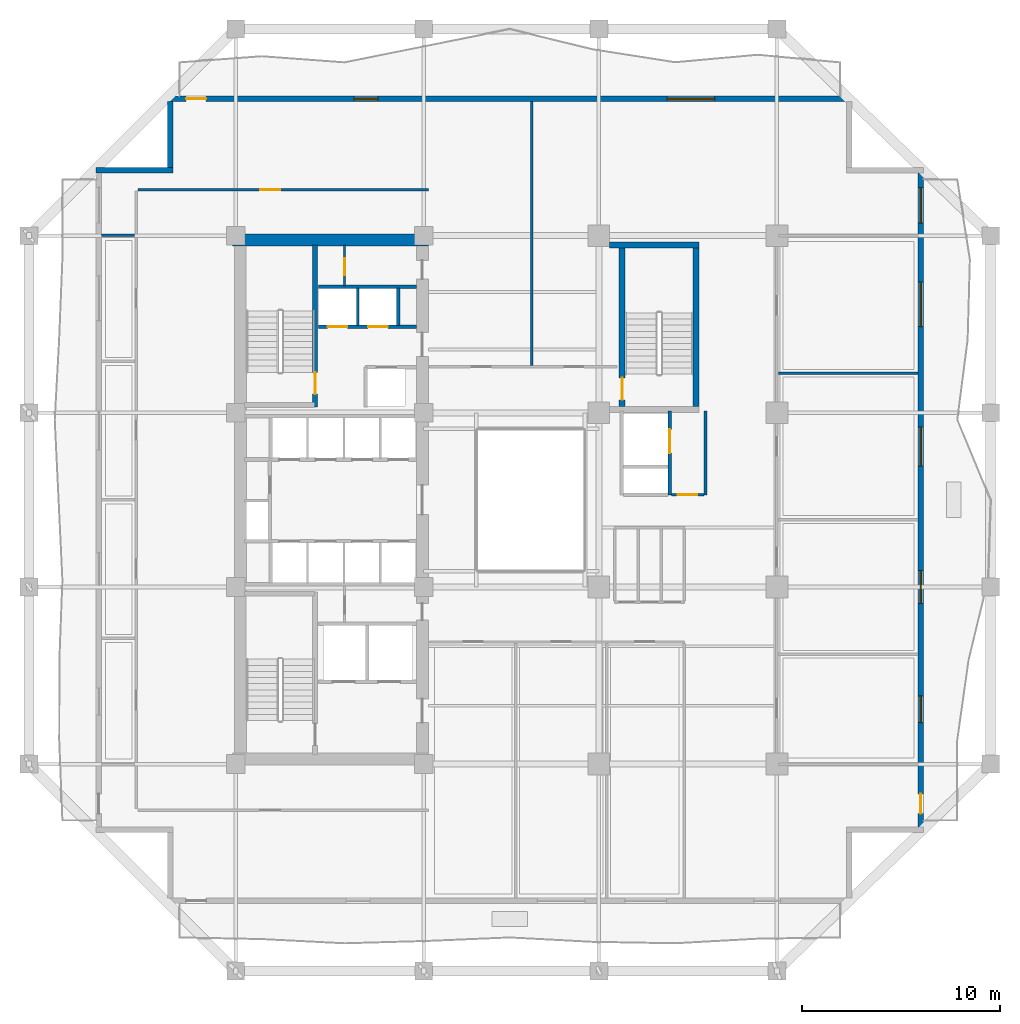
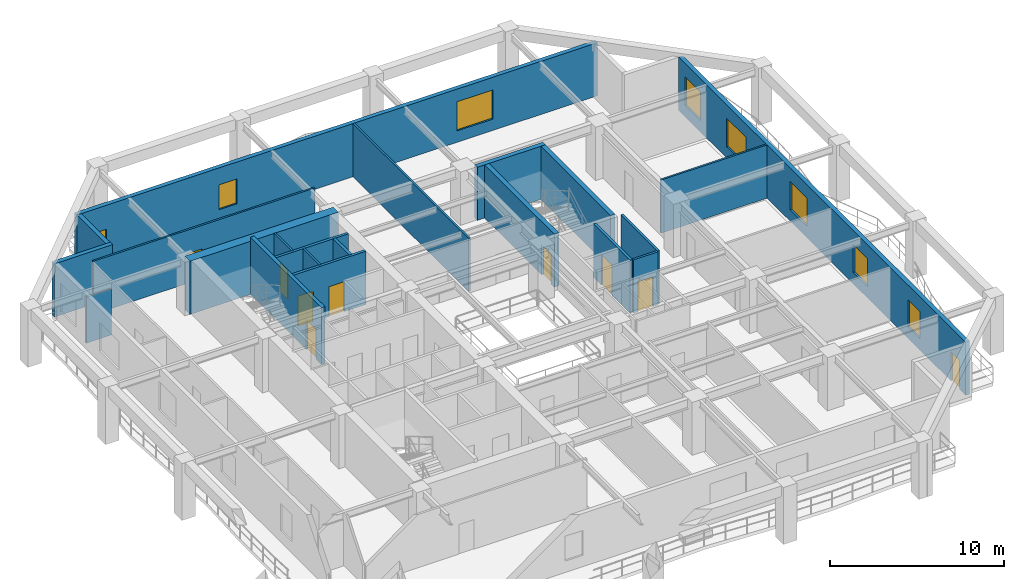
# One storey, part 5 of 11: 21 walls, 10 doors, 7 windows, 17 openings.
"""IFC4 building model written with IfcOpenShell, lengths in metres."""

from ifc_helpers import new_model, si_unit, direction, frame, frame_2d, origin, place, context, subcontext, project, spatial, rectangle, extrude, material, layer, layer_set, type_object, element, fill, save


model = new_model("IFC4")

# Units and contexts
model_context = context("Model", 3, precision=1e-05, world=origin(), true_north=direction((0.0, 1.0)))
body_context = subcontext(model_context, "Body", "Model", "MODEL_VIEW")
ifc_project = project(units=[si_unit("LENGTHUNIT", "METRE"), si_unit("AREAUNIT", "SQUARE_METRE"), si_unit("VOLUMEUNIT", "CUBIC_METRE"), si_unit("PLANEANGLEUNIT", "RADIAN"), si_unit("MASSUNIT", "GRAM", prefix="KILO")], contexts=[model_context])

# Site, building, storey
site_placement = place(None, origin())
site = spatial("IfcSite", under=ifc_project, at=site_placement, CompositionType="ELEMENT")
building_placement = place(site_placement, origin())
building = spatial("IfcBuilding", under=site, at=building_placement, Name="Kundavana Baori Tower", CompositionType="ELEMENT")
storey_placement = place(building_placement, frame((0.0, 0.0, 86.0)))
storey = spatial("IfcBuildingStorey", under=building, at=storey_placement, Name="L20", CompositionType="ELEMENT", Elevation=86.0)

# Wall, opening, door
ifc_material_1 = material(Name="Concrete C50/60", Category="concrete")
ifc_layer_1 = layer(ifc_material_1, 0.39990234375, Name="WL-CORE-400")
ifc_layer_set_1 = layer_set([ifc_layer_1], Name="Concrete C50/60")
wall_type_1 = type_object("IfcWallType", Name="WL-CORE-400", PredefinedType="SHEAR", material=ifc_layer_set_1)
wall_1_placement = place(storey_placement, frame((19.4599609375, 33.300048828125, 0.0), z_axis=(0.0, 0.0, 1.0), x_axis=(0.0, 1.0, 0.0)))
wall_1 = element("IfcWall", 1, at=wall_1_placement, inside=storey, type_object=wall_type_1, Name="WL-L20-ST2-E", PredefinedType="SHEAR", context=body_context, shape_type="SweptSolid", body=[
    extrude(rectangle(XDim=8.179931640625, YDim=0.239990234375, at=frame_2d((4.08984375, 0.0))), origin(), (0.0, 0.0, 1.0), 4.0),
])
opening_1_placement = place(wall_1_placement, frame((0.64990234375, 0.0, 0.0)))
opening_1 = element("IfcOpeningElement", 2, at=opening_1_placement, cuts=wall_1, Name="Opening FD-110", PredefinedType="OPENING", context=body_context, shape_type="SweptSolid", body=[
    extrude(rectangle(XDim=1.10009765625, YDim=2.10009765625, at=frame_2d((0.550048828125, 1.050048828125))), frame((0.0, 0.1298828125, 0.0), z_axis=(0.0, -1.0, 0.0), x_axis=(1.0, 0.0, 0.0)), (0.0, 0.0, 1.0), 0.260009765625),
])
ifc_material_2 = material(Name="Galvanised Steel Fire-Rated Door Leaf", Category="steel")
door_type_1 = type_object("IfcDoorType", Name="DR-FD120-1100", OperationType="NOTDEFINED", PredefinedType="DOOR", material=ifc_material_2)
door_1_placement = place(opening_1_placement, origin())
door_1 = element("IfcDoor", 3, at=door_1_placement, inside=storey, type_object=door_type_1, Name="DR-L20-ST2", OperationType="SINGLE_SWING_RIGHT", OverallHeight=2.10009765625, OverallWidth=1.10009765625, PredefinedType="DOOR", context=body_context, shape_type="SweptSolid", body=[
    extrude(rectangle(XDim=1.10009765625, YDim=2.10009765625, at=frame_2d((0.550048828125, 1.050048828125))), frame((0.0, 0.02490234375, 0.0), z_axis=(0.0, -1.0, 0.0), x_axis=(1.0, 0.0, 0.0)), (0.0, 0.0, 1.0), 0.050048828125),
])
fill(opening_1, door_1)

# Wall
ifc_material_3 = material(Name="Concrete C60/75", Category="concrete")
ifc_layer_2 = layer(ifc_material_3, 0.60009765625, Name="WL-CORE-600")
ifc_layer_set_2 = layer_set([ifc_layer_2], Name="Concrete C60/75")
wall_type_2 = type_object("IfcWallType", Name="WL-CORE-600", PredefinedType="SHEAR", material=ifc_layer_set_2)
wall_2_placement = place(storey_placement, frame((15.300048828125, 41.739990234375, 0.0), z_axis=(0.0, 0.0, 1.0), x_axis=(1.0, 0.0, 0.0)))
element("IfcWall", 4, at=wall_2_placement, inside=storey, type_object=wall_type_2, Name="L20 Offset Core North Shear Wall", PredefinedType="SHEAR", context=body_context, shape_type="SweptSolid", body=[
    extrude(rectangle(XDim=9.8798828125, YDim=0.60009765625, at=frame_2d((4.93994140625, 0.0))), origin(), (0.0, 0.0, 1.0), 3.739990234375),
])

# Wall, openings, door, windows
ifc_material_4 = material(Name="Red-Buff Dholpur Sandstone Cladding on Concrete C40/50", Category="masonry")
ifc_layer_3 = layer(ifc_material_4, 0.280029296875, Name="WL-EXT-SAND-280")
ifc_layer_set_3 = layer_set([ifc_layer_3], Name="Red-Buff Dholpur Sandstone Cladding on Concrete C40/50")
wall_type_3 = type_object("IfcWallType", Name="WL-EXT-SAND-280", PredefinedType="STANDARD", material=ifc_layer_set_3)
wall_3_placement = place(storey_placement, frame((50.06005859375, 12.080078125, 0.0), z_axis=(0.0, 0.0, 1.0), x_axis=(0.0, 1.0, 0.0)))
wall_3 = element("IfcWall", 5, at=wall_3_placement, inside=storey, type_object=wall_type_3, Name="L20 Exterior Insulated Facade Wall 04", PredefinedType="STANDARD", context=body_context, shape_type="SweptSolid", body=[
    extrude(rectangle(XDim=33.0400390625, YDim=0.280029296875, at=frame_2d((16.52001953125, 0.0))), origin(), (0.0, 0.0, 1.0), 3.739990234375),
])
opening_2_placement = place(wall_3_placement, frame((0.669921875, 0.0, 0.0)))
opening_2 = element("IfcOpeningElement", 6, at=opening_2_placement, cuts=wall_3, Name="Opening BD-1", PredefinedType="OPENING", context=body_context, shape_type="SweptSolid", body=[
    extrude(rectangle(XDim=1.0, YDim=2.050048828125, at=frame_2d((0.5, 1.02490234375))), frame((0.0, 0.14990234375, 0.0), z_axis=(0.0, -1.0, 0.0), x_axis=(1.0, 0.0, 0.0)), (0.0, 0.0, 1.0), 0.300048828125),
])
opening_3_placement = place(wall_3_placement, frame((5.27001953125, 0.0, 0.800048828125)))
opening_3 = element("IfcOpeningElement", 7, at=opening_3_placement, cuts=wall_3, Name="Opening W-07", PredefinedType="OPENING", context=body_context, shape_type="SweptSolid", body=[
    extrude(rectangle(XDim=1.35009765625, YDim=1.89990234375, at=frame_2d((0.675048828125, 0.949951171875))), frame((0.0, 0.14990234375, 0.0), z_axis=(0.0, -1.0, 0.0), x_axis=(1.0, 0.0, 0.0)), (0.0, 0.0, 1.0), 0.300048828125),
])
opening_4_placement = place(wall_3_placement, frame((11.294921875, 0.0, 0.800048828125)))
opening_4 = element("IfcOpeningElement", 8, at=opening_4_placement, cuts=wall_3, Name="Opening W-08", PredefinedType="OPENING", context=body_context, shape_type="SweptSolid", body=[
    extrude(rectangle(XDim=1.64990234375, YDim=1.949951171875, at=frame_2d((0.824951171875, 0.97509765625))), frame((0.0, 0.14990234375, 0.0), z_axis=(0.0, -1.0, 0.0), x_axis=(1.0, 0.0, 0.0)), (0.0, 0.0, 1.0), 0.300048828125),
])
opening_5_placement = place(wall_3_placement, frame((18.2451171875, 0.0, 0.800048828125)))
opening_5 = element("IfcOpeningElement", 9, at=opening_5_placement, cuts=wall_3, Name="Opening W-09", PredefinedType="OPENING", context=body_context, shape_type="SweptSolid", body=[
    extrude(rectangle(XDim=1.949951171875, YDim=2.0, at=frame_2d((0.97509765625, 1.0))), frame((0.0, 0.14990234375, 0.0), z_axis=(0.0, -1.0, 0.0), x_axis=(1.0, 0.0, 0.0)), (0.0, 0.0, 1.0), 0.300048828125),
])
opening_6_placement = place(wall_3_placement, frame((25.27001953125, 0.0, 0.800048828125)))
opening_6 = element("IfcOpeningElement", 10, at=opening_6_placement, cuts=wall_3, Name="Opening W-10", PredefinedType="OPENING", context=body_context, shape_type="SweptSolid", body=[
    extrude(rectangle(XDim=2.25, YDim=2.0, at=frame_2d((1.125, 1.0))), frame((0.0, 0.14990234375, 0.0), z_axis=(0.0, -1.0, 0.0), x_axis=(1.0, 0.0, 0.0)), (0.0, 0.0, 1.0), 0.300048828125),
])
opening_7_placement = place(wall_3_placement, frame((30.5, 0.0, 0.800048828125)))
opening_7 = element("IfcOpeningElement", 11, at=opening_7_placement, cuts=wall_3, Name="Opening W-01", PredefinedType="OPENING", context=body_context, shape_type="SweptSolid", body=[
    extrude(rectangle(XDim=1.800048828125, YDim=2.0, at=frame_2d((0.89990234375, 1.0))), frame((0.0, 0.14990234375, 0.0), z_axis=(0.0, -1.0, 0.0), x_axis=(1.0, 0.0, 0.0)), (0.0, 0.0, 1.0), 0.300048828125),
])
ifc_material_5 = material(Name="Architectural Patinated Bronze Metalwork")
door_type_2 = type_object("IfcDoorType", Name="DR-EXT-LOG-1000", OperationType="NOTDEFINED", PredefinedType="DOOR", material=ifc_material_5)
door_2_placement = place(opening_2_placement, frame((1.0, 0.0, 0.0), z_axis=(0.0, 0.0, 1.0), x_axis=(-1.0, 0.0, 0.0)))
door_2 = element("IfcDoor", 12, at=door_2_placement, inside=storey, type_object=door_type_2, Name="L20 Loggia Balcony Access Door E", OperationType="SINGLE_SWING_RIGHT", OverallHeight=2.050048828125, OverallWidth=1.0, PredefinedType="DOOR", context=body_context, shape_type="SweptSolid", body=[
    extrude(rectangle(XDim=1.0, YDim=2.050048828125, at=frame_2d((0.5, 1.02490234375))), frame((0.0, 0.02490234375, 0.0), z_axis=(0.0, -1.0, 0.0), x_axis=(1.0, 0.0, 0.0)), (0.0, 0.0, 1.0), 0.050048828125),
])
fill(opening_2, door_2)
ifc_material_6 = material(Name="Double-Glazed Solar-Control Low-E Insulated Glass", Category="glass")
window_type_1 = type_object("IfcWindowType", Name="WIN-LOG-1350x1900", PartitioningType="SINGLE_PANEL", PredefinedType="WINDOW", material=ifc_material_6)
window_1_placement = place(opening_3_placement, origin())
window_1 = element("IfcWindow", 13, at=window_1_placement, inside=storey, type_object=window_type_1, Name="L20 Recessed Loggia Window E-2", OverallHeight=1.89990234375, OverallWidth=1.35009765625, PartitioningType="SINGLE_PANEL", PredefinedType="WINDOW", context=body_context, shape_type="SweptSolid", body=[
    extrude(rectangle(XDim=1.35009765625, YDim=1.89990234375, at=frame_2d((0.675048828125, 0.949951171875))), frame((0.0, 0.030029296875, 0.0), z_axis=(0.0, -1.0, 0.0), x_axis=(1.0, 0.0, 0.0)), (0.0, 0.0, 1.0), 0.06005859375),
])
fill(opening_3, window_1)
ifc_material_7 = material(Name="Double-Glazed Solar-Control Low-E Insulated Glass", Category="glass")
window_type_2 = type_object("IfcWindowType", Name="WIN-LOG-1650x1950", PartitioningType="SINGLE_PANEL", PredefinedType="WINDOW", material=ifc_material_7)
window_2_placement = place(opening_4_placement, origin())
window_2 = element("IfcWindow", 14, at=window_2_placement, inside=storey, type_object=window_type_2, Name="L20 Recessed Loggia Window E-3", OverallHeight=1.949951171875, OverallWidth=1.64990234375, PartitioningType="SINGLE_PANEL", PredefinedType="WINDOW", context=body_context, shape_type="SweptSolid", body=[
    extrude(rectangle(XDim=1.64990234375, YDim=1.949951171875, at=frame_2d((0.824951171875, 0.97509765625))), frame((0.0, 0.030029296875, 0.0), z_axis=(0.0, -1.0, 0.0), x_axis=(1.0, 0.0, 0.0)), (0.0, 0.0, 1.0), 0.06005859375),
])
fill(opening_4, window_2)
ifc_material_8 = material(Name="Double-Glazed Solar-Control Low-E Insulated Glass", Category="glass")
window_type_3 = type_object("IfcWindowType", Name="WIN-LOG-1800x2000", PartitioningType="SINGLE_PANEL", PredefinedType="WINDOW", material=ifc_material_8)
window_3_placement = place(opening_7_placement, origin())
window_3 = element("IfcWindow", 15, at=window_3_placement, inside=storey, type_object=window_type_3, Name="L20 Recessed Loggia Window E-6", OverallHeight=2.0, OverallWidth=1.800048828125, PartitioningType="SINGLE_PANEL", PredefinedType="WINDOW", context=body_context, shape_type="SweptSolid", body=[
    extrude(rectangle(XDim=1.800048828125, YDim=2.0, at=frame_2d((0.89990234375, 1.0))), frame((0.0, 0.030029296875, 0.0), z_axis=(0.0, -1.0, 0.0), x_axis=(1.0, 0.0, 0.0)), (0.0, 0.0, 1.0), 0.06005859375),
])
fill(opening_7, window_3)
ifc_material_9 = material(Name="Double-Glazed Solar-Control Low-E Insulated Glass", Category="glass")
window_type_4 = type_object("IfcWindowType", Name="WIN-LOG-1950x2000", PartitioningType="SINGLE_PANEL", PredefinedType="WINDOW", material=ifc_material_9)
window_4_placement = place(opening_5_placement, origin())
window_4 = element("IfcWindow", 16, at=window_4_placement, inside=storey, type_object=window_type_4, Name="L20 Recessed Loggia Window E-4", OverallHeight=2.0, OverallWidth=1.949951171875, PartitioningType="SINGLE_PANEL", PredefinedType="WINDOW", context=body_context, shape_type="SweptSolid", body=[
    extrude(rectangle(XDim=1.949951171875, YDim=2.0, at=frame_2d((0.97509765625, 1.0))), frame((0.0, 0.030029296875, 0.0), z_axis=(0.0, -1.0, 0.0), x_axis=(1.0, 0.0, 0.0)), (0.0, 0.0, 1.0), 0.06005859375),
])
fill(opening_5, window_4)
ifc_material_10 = material(Name="Double-Glazed Solar-Control Low-E Insulated Glass", Category="glass")
window_type_5 = type_object("IfcWindowType", Name="WIN-LOG-2250x2000", PartitioningType="SINGLE_PANEL", PredefinedType="WINDOW", material=ifc_material_10)
window_5_placement = place(opening_6_placement, origin())
window_5 = element("IfcWindow", 17, at=window_5_placement, inside=storey, type_object=window_type_5, Name="L20 Recessed Loggia Window E-5", OverallHeight=2.0, OverallWidth=2.25, PartitioningType="SINGLE_PANEL", PredefinedType="WINDOW", context=body_context, shape_type="SweptSolid", body=[
    extrude(rectangle(XDim=2.25, YDim=2.0, at=frame_2d((1.125, 1.0))), frame((0.0, 0.030029296875, 0.0), z_axis=(0.0, -1.0, 0.0), x_axis=(1.0, 0.0, 0.0)), (0.0, 0.0, 1.0), 0.06005859375),
])
fill(opening_6, window_5)

wall_4_placement = place(storey_placement, frame((46.60009765625, 48.860107421875, 0.0), z_axis=(0.0, 0.0, 1.0), x_axis=(-1.0, 0.0, 0.0)))
wall_4 = element("IfcWall", 18, at=wall_4_placement, inside=storey, type_object=wall_type_3, Name="L20 Exterior Insulated Facade Wall 07", PredefinedType="STANDARD", context=body_context, shape_type="SweptSolid", body=[
    extrude(rectangle(XDim=34.60009765625, YDim=0.280029296875, at=frame_2d((17.300048828125, 0.0))), origin(), (0.0, 0.0, 1.0), 3.739990234375),
])
opening_8_placement = place(wall_4_placement, frame((32.64990234375, 0.0, 0.0)))
opening_8 = element("IfcOpeningElement", 19, at=opening_8_placement, cuts=wall_4, Name="Opening BD-1", PredefinedType="OPENING", context=body_context, shape_type="SweptSolid", body=[
    extrude(rectangle(XDim=1.0, YDim=2.050048828125, at=frame_2d((0.5, 1.02490234375))), frame((0.0, 0.14990234375, 0.0), z_axis=(0.0, -1.0, 0.0), x_axis=(1.0, 0.0, 0.0)), (0.0, 0.0, 1.0), 0.300048828125),
])
opening_9_placement = place(wall_4_placement, frame((23.969970703125, 0.0, 0.800048828125)))
opening_9 = element("IfcOpeningElement", 20, at=opening_9_placement, cuts=wall_4, Name="Opening W-03", PredefinedType="OPENING", context=body_context, shape_type="SweptSolid", body=[
    extrude(rectangle(XDim=1.199951171875, YDim=1.75, at=frame_2d((0.60009765625, 0.875))), frame((0.0, 0.14990234375, 0.0), z_axis=(0.0, -1.0, 0.0), x_axis=(1.0, 0.0, 0.0)), (0.0, 0.0, 1.0), 0.300048828125),
])
opening_10_placement = place(wall_4_placement, frame((6.955078125, 0.0, 0.800048828125)))
opening_10 = element("IfcOpeningElement", 21, at=opening_10_placement, cuts=wall_4, Name="Opening W-04", PredefinedType="OPENING", context=body_context, shape_type="SweptSolid", body=[
    extrude(rectangle(XDim=2.39990234375, YDim=2.050048828125, at=frame_2d((1.199951171875, 1.02490234375))), frame((0.0, 0.14990234375, 0.0), z_axis=(0.0, -1.0, 0.0), x_axis=(1.0, 0.0, 0.0)), (0.0, 0.0, 1.0), 0.300048828125),
])
door_3_placement = place(opening_8_placement, frame((1.0, 0.0, 0.0), z_axis=(0.0, 0.0, 1.0), x_axis=(-1.0, 0.0, 0.0)))
door_3 = element("IfcDoor", 22, at=door_3_placement, inside=storey, type_object=door_type_2, Name="L20 Loggia Balcony Access Door N", OperationType="SINGLE_SWING_LEFT", OverallHeight=2.050048828125, OverallWidth=1.0, PredefinedType="DOOR", context=body_context, shape_type="SweptSolid", body=[
    extrude(rectangle(XDim=1.0, YDim=2.050048828125, at=frame_2d((0.5, 1.02490234375))), frame((0.0, 0.02490234375, 0.0), z_axis=(0.0, -1.0, 0.0), x_axis=(1.0, 0.0, 0.0)), (0.0, 0.0, 1.0), 0.050048828125),
])
fill(opening_8, door_3)
ifc_material_11 = material(Name="Double-Glazed Solar-Control Low-E Insulated Glass", Category="glass")
window_type_6 = type_object("IfcWindowType", Name="WIN-LOG-1200x1750", PartitioningType="SINGLE_PANEL", PredefinedType="WINDOW", material=ifc_material_11)
window_6_placement = place(opening_9_placement, origin())
window_6 = element("IfcWindow", 23, at=window_6_placement, inside=storey, type_object=window_type_6, Name="L20 Recessed Loggia Window N-1", OverallHeight=1.75, OverallWidth=1.199951171875, PartitioningType="SINGLE_PANEL", PredefinedType="WINDOW", context=body_context, shape_type="SweptSolid", body=[
    extrude(rectangle(XDim=1.199951171875, YDim=1.75, at=frame_2d((0.60009765625, 0.875))), frame((0.0, 0.030029296875, 0.0), z_axis=(0.0, -1.0, 0.0), x_axis=(1.0, 0.0, 0.0)), (0.0, 0.0, 1.0), 0.06005859375),
])
fill(opening_9, window_6)
ifc_material_12 = material(Name="Double-Glazed Solar-Control Low-E Insulated Glass", Category="glass")
window_type_7 = type_object("IfcWindowType", Name="WIN-LOG-2400x2050", PartitioningType="SINGLE_PANEL", PredefinedType="WINDOW", material=ifc_material_12)
window_7_placement = place(opening_10_placement, origin())
window_7 = element("IfcWindow", 24, at=window_7_placement, inside=storey, type_object=window_type_7, Name="L20 Recessed Loggia Window N-2", OverallHeight=2.050048828125, OverallWidth=2.39990234375, PartitioningType="SINGLE_PANEL", PredefinedType="WINDOW", context=body_context, shape_type="SweptSolid", body=[
    extrude(rectangle(XDim=2.39990234375, YDim=2.050048828125, at=frame_2d((1.199951171875, 1.02490234375))), frame((0.0, 0.030029296875, 0.0), z_axis=(0.0, -1.0, 0.0), x_axis=(1.0, 0.0, 0.0)), (0.0, 0.0, 1.0), 0.06005859375),
])
fill(opening_10, window_7)

# Walls
wall_5_placement = place(storey_placement, frame((12.139892578125, 48.719970703125, 0.0), z_axis=(0.0, 0.0, 1.0), x_axis=(0.0, -1.0, 0.0)))
element("IfcWall", 25, at=wall_5_placement, inside=storey, type_object=wall_type_3, Name="L20 Exterior Insulated Facade Wall 08", PredefinedType="STANDARD", context=body_context, shape_type="SweptSolid", body=[
    extrude(rectangle(XDim=3.320068359375, YDim=0.280029296875, at=frame_2d((1.66015625, 0.0))), origin(), (0.0, 0.0, 1.0), 3.739990234375),
])
wall_6_placement = place(storey_placement, frame((12.280029296875, 45.260009765625, 0.0), z_axis=(0.0, 0.0, 1.0), x_axis=(-1.0, 0.0, 0.0)))
element("IfcWall", 26, at=wall_6_placement, inside=storey, type_object=wall_type_3, Name="L20 Exterior Insulated Facade Wall 09", PredefinedType="STANDARD", context=body_context, shape_type="SweptSolid", body=[
    extrude(rectangle(XDim=3.880126953125, YDim=0.280029296875, at=frame_2d((1.93994140625, 0.0))), origin(), (0.0, 0.0, 1.0), 3.739990234375),
])
ifc_material_13 = material(Name="Acoustic Gypsum Plasterboard on Galvanised Steel Studs", Category="steel")
ifc_layer_4 = layer(ifc_material_13, 0.1201171875, Name="WL-PART-120")
ifc_layer_set_4 = layer_set([ifc_layer_4], Name="Acoustic Gypsum Plasterboard on Galvanised Steel Studs")
wall_type_4 = type_object("IfcWallType", Name="WL-PART-120", PredefinedType="PARTITIONING", material=ifc_layer_set_4)
wall_7_placement = place(storey_placement, frame((21.6201171875, 37.39990234375, 0.0), z_axis=(0.0, 0.0, 1.0), x_axis=(0.0, 1.0, 0.0)))
element("IfcWall", 27, at=wall_7_placement, inside=storey, type_object=wall_type_4, Name="WL-L20-HR-DIV1", PredefinedType="PARTITIONING", context=body_context, shape_type="SweptSolid", body=[
    extrude(rectangle(XDim=1.900146484375, YDim=0.1201171875, at=frame_2d((0.9501953125, 0.0))), origin(), (0.0, 0.0, 1.0), 3.739990234375),
])

# Wall, opening, door
wall_8_placement = place(storey_placement, frame((20.949951171875, 39.39990234375, 0.0), z_axis=(0.0, 0.0, 1.0), x_axis=(0.0, 1.0, 0.0)))
wall_8 = element("IfcWall", 28, at=wall_8_placement, inside=storey, type_object=wall_type_4, Name="WL-L20-CSRV-D2", PredefinedType="PARTITIONING", context=body_context, shape_type="SweptSolid", body=[
    extrude(rectangle(XDim=2.080078125, YDim=0.1201171875, at=frame_2d((1.0400390625, 0.0))), origin(), (0.0, 0.0, 1.0), 3.739990234375),
])
opening_11_placement = place(wall_8_placement, frame((0.550048828125, 0.0, 0.0)))
opening_11 = element("IfcOpeningElement", 29, at=opening_11_placement, cuts=wall_8, Name="Opening FD-085", PredefinedType="OPENING", context=body_context, shape_type="SweptSolid", body=[
    extrude(rectangle(XDim=0.85009765625, YDim=2.06005859375, at=frame_2d((0.425048828125, 1.030029296875))), frame((0.0, 0.070068359375, 0.0), z_axis=(0.0, -1.0, 0.0), x_axis=(1.0, 0.0, 0.0)), (0.0, 0.0, 1.0), 0.14013671875),
])
ifc_material_14 = material(Name="Galvanised Steel Fire-Rated Door Leaf", Category="steel")
door_type_3 = type_object("IfcDoorType", Name="DR-FD60-850", OperationType="NOTDEFINED", PredefinedType="DOOR", material=ifc_material_14)
door_4_placement = place(opening_11_placement, origin())
door_4 = element("IfcDoor", 30, at=door_4_placement, inside=storey, type_object=door_type_3, Name="DR-L20-CSRV1", OperationType="SINGLE_SWING_RIGHT", OverallHeight=2.06005859375, OverallWidth=0.85009765625, PredefinedType="DOOR", context=body_context, shape_type="SweptSolid", body=[
    extrude(rectangle(XDim=0.85009765625, YDim=2.06005859375, at=frame_2d((0.425048828125, 1.030029296875))), frame((0.0, 0.02490234375, 0.0), z_axis=(0.0, -1.0, 0.0), x_axis=(1.0, 0.0, 0.0)), (0.0, 0.0, 1.0), 0.050048828125),
])
fill(opening_11, door_4)

# Wall
ifc_material_15 = material(Name="Fire-Rated Gypsum Drywall on Galvanised Steel Studs", Category="steel")
ifc_layer_5 = layer(ifc_material_15, 0.14990234375, Name="WL-PART-150")
ifc_layer_set_5 = layer_set([ifc_layer_5], Name="Fire-Rated Gypsum Drywall on Galvanised Steel Studs")
wall_type_5 = type_object("IfcWallType", Name="WL-PART-150", PredefinedType="PARTITIONING", material=ifc_layer_set_5)
wall_9_placement = place(storey_placement, frame((39.199951171875, 28.860107421875, 0.0), z_axis=(0.0, 0.0, 1.0), x_axis=(0.0, 1.0, 0.0)))
element("IfcWall", 31, at=wall_9_placement, inside=storey, type_object=wall_type_5, Name="WL-L20-SVLOB-E", PredefinedType="PARTITIONING", context=body_context, shape_type="SweptSolid", body=[
    extrude(rectangle(XDim=4.219970703125, YDim=0.14990234375, at=frame_2d((2.10986328125, 0.0))), origin(), (0.0, 0.0, 1.0), 3.739990234375),
])

# Wall, opening, door
wall_10_placement = place(storey_placement, frame((37.47998046875, 28.860107421875, 0.0), z_axis=(0.0, 0.0, 1.0), x_axis=(1.0, 0.0, 0.0)))
wall_10 = element("IfcWall", 32, at=wall_10_placement, inside=storey, type_object=wall_type_5, Name="WL-L20-SVLOB-S", PredefinedType="PARTITIONING", context=body_context, shape_type="SweptSolid", body=[
    extrude(rectangle(XDim=1.64013671875, YDim=0.14990234375, at=frame_2d((0.820068359375, 0.0))), origin(), (0.0, 0.0, 1.0), 3.739990234375),
])
opening_12_placement = place(wall_10_placement, frame((0.300048828125, 0.0, 0.0)))
opening_12 = element("IfcOpeningElement", 33, at=opening_12_placement, cuts=wall_10, Name="Opening FD-100", PredefinedType="OPENING", context=body_context, shape_type="SweptSolid", body=[
    extrude(rectangle(XDim=1.0, YDim=2.10009765625, at=frame_2d((0.5, 1.050048828125))), frame((0.0, 0.0849609375, 0.0), z_axis=(0.0, -1.0, 0.0), x_axis=(1.0, 0.0, 0.0)), (0.0, 0.0, 1.0), 0.169921875),
])
ifc_material_16 = material(Name="Engineered Teak Fire-Rated Timber Door Leaf", Category="wood")
door_type_4 = type_object("IfcDoorType", Name="DR-FD60-1000", OperationType="NOTDEFINED", PredefinedType="DOOR", material=ifc_material_16)
door_5_placement = place(opening_12_placement, origin())
door_5 = element("IfcDoor", 34, at=door_5_placement, inside=storey, type_object=door_type_4, Name="DR-L20-SVLOB-OUT", OperationType="SINGLE_SWING_LEFT", OverallHeight=2.10009765625, OverallWidth=1.0, PredefinedType="DOOR", context=body_context, shape_type="SweptSolid", body=[
    extrude(rectangle(XDim=1.0, YDim=2.10009765625, at=frame_2d((0.5, 1.050048828125))), frame((0.0, 0.02490234375, 0.0), z_axis=(0.0, -1.0, 0.0), x_axis=(1.0, 0.0, 0.0)), (0.0, 0.0, 1.0), 0.050048828125),
])
fill(opening_12, door_5)

# Wall, openings, doors
ifc_material_17 = material(Name="Autoclaved Aerated Concrete Blockwork Masonry", Category="masonry")
ifc_layer_6 = layer(ifc_material_17, 0.179931640625, Name="WL-SHAFT-180")
ifc_layer_set_6 = layer_set([ifc_layer_6], Name="Autoclaved Aerated Concrete Blockwork Masonry")
wall_type_6 = type_object("IfcWallType", Name="WL-SHAFT-180", PredefinedType="SOLIDWALL", material=ifc_layer_set_6)
wall_11_placement = place(storey_placement, frame((19.639892578125, 37.340087890625, 0.0), z_axis=(0.0, 0.0, 1.0), x_axis=(1.0, 0.0, 0.0)))
wall_11 = element("IfcWall", 35, at=wall_11_placement, inside=storey, type_object=wall_type_6, Name="WL-L20-HRLOB-N", PredefinedType="SOLIDWALL", context=body_context, shape_type="SweptSolid", body=[
    extrude(rectangle(XDim=4.940185546875, YDim=0.179931640625, at=frame_2d((2.47021484375, 0.0))), origin(), (0.0, 0.0, 1.0), 3.739990234375),
])
opening_13_placement = place(wall_11_placement, frame((0.449951171875, 0.0, 0.0)))
opening_13 = element("IfcOpeningElement", 36, at=opening_13_placement, cuts=wall_11, Name="Opening LD-100", PredefinedType="OPENING", context=body_context, shape_type="SweptSolid", body=[
    extrude(rectangle(XDim=1.0, YDim=2.10009765625, at=frame_2d((0.5, 1.050048828125))), frame((0.0, 0.10009765625, 0.0), z_axis=(0.0, -1.0, 0.0), x_axis=(1.0, 0.0, 0.0)), (0.0, 0.0, 1.0), 0.199951171875),
])
opening_14_placement = place(wall_11_placement, frame((2.5, 0.0, 0.0)))
opening_14 = element("IfcOpeningElement", 37, at=opening_14_placement, cuts=wall_11, Name="Opening LD-100", PredefinedType="OPENING", context=body_context, shape_type="SweptSolid", body=[
    extrude(rectangle(XDim=1.0, YDim=2.10009765625, at=frame_2d((0.5, 1.050048828125))), frame((0.0, 0.10009765625, 0.0), z_axis=(0.0, -1.0, 0.0), x_axis=(1.0, 0.0, 0.0)), (0.0, 0.0, 1.0), 0.199951171875),
])
ifc_material_18 = material(Name="Galvanised Steel Fire-Rated Door Leaf", Category="steel")
door_type_5 = type_object("IfcDoorType", Name="DR-SLIDE-LD1000", OperationType="NOTDEFINED", PredefinedType="DOOR", material=ifc_material_18)
door_6_placement = place(opening_13_placement, frame((1.0, 0.0, 0.0), z_axis=(0.0, 0.0, 1.0), x_axis=(-1.0, 0.0, 0.0)))
door_6 = element("IfcDoor", 38, at=door_6_placement, inside=storey, type_object=door_type_5, Name="DR-L20-LD-LP09", OperationType="DOUBLE_DOOR_SLIDING", OverallHeight=2.10009765625, OverallWidth=1.0, PredefinedType="DOOR", context=body_context, shape_type="SweptSolid", body=[
    extrude(rectangle(XDim=1.0, YDim=2.10009765625, at=frame_2d((0.5, 1.050048828125))), frame((0.0, 0.02490234375, 0.0), z_axis=(0.0, -1.0, 0.0), x_axis=(1.0, 0.0, 0.0)), (0.0, 0.0, 1.0), 0.050048828125),
])
fill(opening_13, door_6)
door_7_placement = place(opening_14_placement, frame((1.0, 0.0, 0.0), z_axis=(0.0, 0.0, 1.0), x_axis=(-1.0, 0.0, 0.0)))
door_7 = element("IfcDoor", 39, at=door_7_placement, inside=storey, type_object=door_type_5, Name="DR-L20-LD-LP10", OperationType="DOUBLE_DOOR_SLIDING", OverallHeight=2.10009765625, OverallWidth=1.0, PredefinedType="DOOR", context=body_context, shape_type="SweptSolid", body=[
    extrude(rectangle(XDim=1.0, YDim=2.10009765625, at=frame_2d((0.5, 1.050048828125))), frame((0.0, 0.02490234375, 0.0), z_axis=(0.0, -1.0, 0.0), x_axis=(1.0, 0.0, 0.0)), (0.0, 0.0, 1.0), 0.050048828125),
])
fill(opening_14, door_7)

# Walls
wall_12_placement = place(storey_placement, frame((19.639892578125, 39.360107421875, 0.0), z_axis=(0.0, 0.0, 1.0), x_axis=(1.0, 0.0, 0.0)))
element("IfcWall", 40, at=wall_12_placement, inside=storey, type_object=wall_type_6, Name="WL-L20-HRLOB-TOP", PredefinedType="SOLIDWALL", context=body_context, shape_type="SweptSolid", body=[
    extrude(rectangle(XDim=4.940185546875, YDim=0.179931640625, at=frame_2d((2.47021484375, 0.0))), origin(), (0.0, 0.0, 1.0), 3.739990234375),
])
wall_13_placement = place(storey_placement, frame((23.659912109375, 37.39990234375, 0.0), z_axis=(0.0, 0.0, 1.0), x_axis=(0.0, 1.0, 0.0)))
element("IfcWall", 41, at=wall_13_placement, inside=storey, type_object=wall_type_6, Name="WL-L20-HR-DIV2", PredefinedType="SOLIDWALL", context=body_context, shape_type="SweptSolid", body=[
    extrude(rectangle(XDim=1.900146484375, YDim=0.179931640625, at=frame_2d((0.9501953125, 0.0))), origin(), (0.0, 0.0, 1.0), 3.739990234375),
])

# Wall, opening, door
wall_14_placement = place(storey_placement, frame((37.389892578125, 28.860107421875, 0.0), z_axis=(0.0, 0.0, 1.0), x_axis=(0.0, 1.0, 0.0)))
wall_14 = element("IfcWall", 42, at=wall_14_placement, inside=storey, type_object=wall_type_6, Name="WL-L20-SVL-E", PredefinedType="SOLIDWALL", context=body_context, shape_type="SweptSolid", body=[
    extrude(rectangle(XDim=4.219970703125, YDim=0.179931640625, at=frame_2d((2.10986328125, 0.0))), origin(), (0.0, 0.0, 1.0), 3.739990234375),
])
opening_15_placement = place(wall_14_placement, frame((2.10009765625, 0.0, 0.0)))
opening_15 = element("IfcOpeningElement", 43, at=opening_15_placement, cuts=wall_14, Name="Opening LD-120", PredefinedType="OPENING", context=body_context, shape_type="SweptSolid", body=[
    extrude(rectangle(XDim=1.199951171875, YDim=2.1201171875, at=frame_2d((0.60009765625, 1.06005859375))), frame((0.0, 0.10009765625, 0.0), z_axis=(0.0, -1.0, 0.0), x_axis=(1.0, 0.0, 0.0)), (0.0, 0.0, 1.0), 0.199951171875),
])
ifc_material_19 = material(Name="Galvanised Steel Fire-Rated Door Leaf", Category="steel")
door_type_6 = type_object("IfcDoorType", Name="DR-SLIDE-LD1200", OperationType="NOTDEFINED", PredefinedType="DOOR", material=ifc_material_19)
door_8_placement = place(opening_15_placement, frame((1.199951171875, 0.0, 0.0), z_axis=(0.0, 0.0, 1.0), x_axis=(-1.0, 0.0, 0.0)))
door_8 = element("IfcDoor", 44, at=door_8_placement, inside=storey, type_object=door_type_6, Name="DR-L20-LD-SVL1", OperationType="DOUBLE_DOOR_SLIDING", OverallHeight=2.1201171875, OverallWidth=1.199951171875, PredefinedType="DOOR", context=body_context, shape_type="SweptSolid", body=[
    extrude(rectangle(XDim=1.199951171875, YDim=2.1201171875, at=frame_2d((0.60009765625, 1.06005859375))), frame((0.0, 0.02490234375, 0.0), z_axis=(0.0, -1.0, 0.0), x_axis=(1.0, 0.0, 0.0)), (0.0, 0.0, 1.0), 0.050048828125),
])
fill(opening_15, door_8)

# Wall
ifc_material_20 = material(Name="Concrete C50/60", Category="concrete")
ifc_layer_7 = layer(ifc_material_20, 0.300048828125, Name="WL-ST3-300")
ifc_layer_set_7 = layer_set([ifc_layer_7], Name="Concrete C50/60")
wall_type_7 = type_object("IfcWallType", Name="WL-ST3-300", PredefinedType="SHEAR", material=ifc_layer_set_7)
wall_15_placement = place(storey_placement, frame((34.35009765625, 41.489990234375, 0.0), z_axis=(0.0, 0.0, 1.0), x_axis=(1.0, 0.0, 0.0)))
element("IfcWall", 45, at=wall_15_placement, inside=storey, type_object=wall_type_7, Name="L20 Stair ST3 North Shear Wall", PredefinedType="SHEAR", context=body_context, shape_type="SweptSolid", body=[
    extrude(rectangle(XDim=4.52001953125, YDim=0.300048828125, at=frame_2d((2.260009765625, 0.0))), origin(), (0.0, 0.0, 1.0), 3.739990234375),
])

# Wall, opening, door
wall_16_placement = place(storey_placement, frame((34.97998046875, 33.31005859375, 0.0), z_axis=(0.0, 0.0, 1.0), x_axis=(0.0, 1.0, 0.0)))
wall_16 = element("IfcWall", 46, at=wall_16_placement, inside=storey, type_object=wall_type_7, Name="L20 Stair ST3 West Shear Wall", PredefinedType="SHEAR", context=body_context, shape_type="SweptSolid", body=[
    extrude(rectangle(XDim=8.030029296875, YDim=0.300048828125, at=frame_2d((4.01513671875, 0.0))), origin(), (0.0, 0.0, 1.0), 3.739990234375),
])
opening_16_placement = place(wall_16_placement, frame((0.35009765625, 0.0, 0.0)))
opening_16 = element("IfcOpeningElement", 47, at=opening_16_placement, cuts=wall_16, Name="Opening FD-110", PredefinedType="OPENING", context=body_context, shape_type="SweptSolid", body=[
    extrude(rectangle(XDim=1.10009765625, YDim=2.10009765625, at=frame_2d((0.550048828125, 1.050048828125))), frame((0.0, 0.16015625, 0.0), z_axis=(0.0, -1.0, 0.0), x_axis=(1.0, 0.0, 0.0)), (0.0, 0.0, 1.0), 0.320068359375),
])
door_9_placement = place(opening_16_placement, origin())
door_9 = element("IfcDoor", 48, at=door_9_placement, inside=storey, type_object=door_type_1, Name="DR-L20-ST3-W", OperationType="SINGLE_SWING_LEFT", OverallHeight=2.10009765625, OverallWidth=1.10009765625, PredefinedType="DOOR", context=body_context, shape_type="SweptSolid", body=[
    extrude(rectangle(XDim=1.10009765625, YDim=2.10009765625, at=frame_2d((0.550048828125, 1.050048828125))), frame((0.0, 0.02490234375, 0.0), z_axis=(0.0, -1.0, 0.0), x_axis=(1.0, 0.0, 0.0)), (0.0, 0.0, 1.0), 0.050048828125),
])
fill(opening_16, door_9)

# Walls
wall_17_placement = place(storey_placement, frame((38.719970703125, 33.31005859375, 0.0), z_axis=(0.0, 0.0, 1.0), x_axis=(0.0, 1.0, 0.0)))
element("IfcWall", 49, at=wall_17_placement, inside=storey, type_object=wall_type_7, Name="L20 Stair ST3 East Shear Wall", PredefinedType="SHEAR", context=body_context, shape_type="SweptSolid", body=[
    extrude(rectangle(XDim=8.030029296875, YDim=0.300048828125, at=frame_2d((4.01513671875, 0.0))), origin(), (0.0, 0.0, 1.0), 3.739990234375),
])
ifc_material_21 = material(Name="Autoclaved Aerated Concrete Blockwork Masonry", Category="masonry")
ifc_layer_8 = layer(ifc_material_21, 0.125, Name="WL-WET-120")
ifc_layer_set_8 = layer_set([ifc_layer_8], Name="Autoclaved Aerated Concrete Blockwork Masonry")
wall_type_8 = type_object("IfcWallType", Name="WL-WET-120", PredefinedType="PLUMBINGWALL", material=ifc_layer_set_8)
wall_18_placement = place(storey_placement, frame((8.679931640625, 41.97998046875, 0.0), z_axis=(0.0, 0.0, 1.0), x_axis=(1.0, 0.0, 0.0)))
element("IfcWall", 50, at=wall_18_placement, inside=storey, type_object=wall_type_8, Name="WL-L20-OWN", PredefinedType="PLUMBINGWALL", context=body_context, shape_type="SweptSolid", body=[
    extrude(rectangle(XDim=1.66015625, YDim=0.125, at=frame_2d((0.830078125, 0.0))), origin(), (0.0, 0.0, 1.0), 3.239990234375),
])

# Wall, opening, door
wall_19_placement = place(storey_placement, frame((10.5, 44.280029296875, 0.0), z_axis=(0.0, 0.0, 1.0), x_axis=(1.0, 0.0, 0.0)))
wall_19 = element("IfcWall", 51, at=wall_19_placement, inside=storey, type_object=wall_type_8, Name="WL-L20-ONC", PredefinedType="PLUMBINGWALL", context=body_context, shape_type="SweptSolid", body=[
    extrude(rectangle(XDim=14.699951171875, YDim=0.125, at=frame_2d((7.35009765625, 0.0))), origin(), (0.0, 0.0, 1.0), 3.739990234375),
])
opening_17_placement = place(wall_19_placement, frame((6.199951171875, 0.0, 0.0)))
opening_17 = element("IfcOpeningElement", 52, at=opening_17_placement, cuts=wall_19, Name="Opening ID-100", PredefinedType="OPENING", context=body_context, shape_type="SweptSolid", body=[
    extrude(rectangle(XDim=1.0, YDim=2.080078125, at=frame_2d((0.5, 1.0400390625))), frame((0.0, 0.072509765625, 0.0), z_axis=(0.0, -1.0, 0.0), x_axis=(1.0, 0.0, 0.0)), (0.0, 0.0, 1.0), 0.14501953125),
])
ifc_material_22 = material(Name="Engineered Teak Solid-Core Timber Veneer", Category="wood")
door_type_7 = type_object("IfcDoorType", Name="DR-INT-1000", OperationType="NOTDEFINED", PredefinedType="DOOR", material=ifc_material_22)
door_10_placement = place(opening_17_placement, origin())
door_10 = element("IfcDoor", 53, at=door_10_placement, inside=storey, type_object=door_type_7, Name="DR-L20-ONWC", OperationType="SINGLE_SWING_RIGHT", OverallHeight=2.080078125, OverallWidth=1.0, PredefinedType="DOOR", context=body_context, shape_type="SweptSolid", body=[
    extrude(rectangle(XDim=1.0, YDim=2.080078125, at=frame_2d((0.5, 1.0400390625))), frame((0.0, 0.02490234375, 0.0), z_axis=(0.0, -1.0, 0.0), x_axis=(1.0, 0.0, 0.0)), (0.0, 0.0, 1.0), 0.050048828125),
])
fill(opening_17, door_10)

# Walls
wall_20_placement = place(storey_placement, frame((42.8798828125, 35.0, 0.0), z_axis=(0.0, 0.0, 1.0), x_axis=(1.0, 0.0, 0.0)))
element("IfcWall", 54, at=wall_20_placement, inside=storey, type_object=wall_type_8, Name="WL-L20-ED3", PredefinedType="PLUMBINGWALL", context=body_context, shape_type="SweptSolid", body=[
    extrude(rectangle(XDim=7.0400390625, YDim=0.125, at=frame_2d((3.52001953125, 0.0))), origin(), (0.0, 0.0, 1.0), 3.739990234375),
])
wall_21_placement = place(storey_placement, frame((30.39990234375, 35.39990234375, 0.0), z_axis=(0.0, 0.0, 1.0), x_axis=(0.0, 1.0, 0.0)))
element("IfcWall", 55, at=wall_21_placement, inside=storey, type_object=wall_type_8, Name="WL-L20-ND1", PredefinedType="PLUMBINGWALL", context=body_context, shape_type="SweptSolid", body=[
    extrude(rectangle(XDim=13.320068359375, YDim=0.125, at=frame_2d((6.66015625, 0.0))), origin(), (0.0, 0.0, 1.0), 3.739990234375),
])

save(model, "model.ifc")
